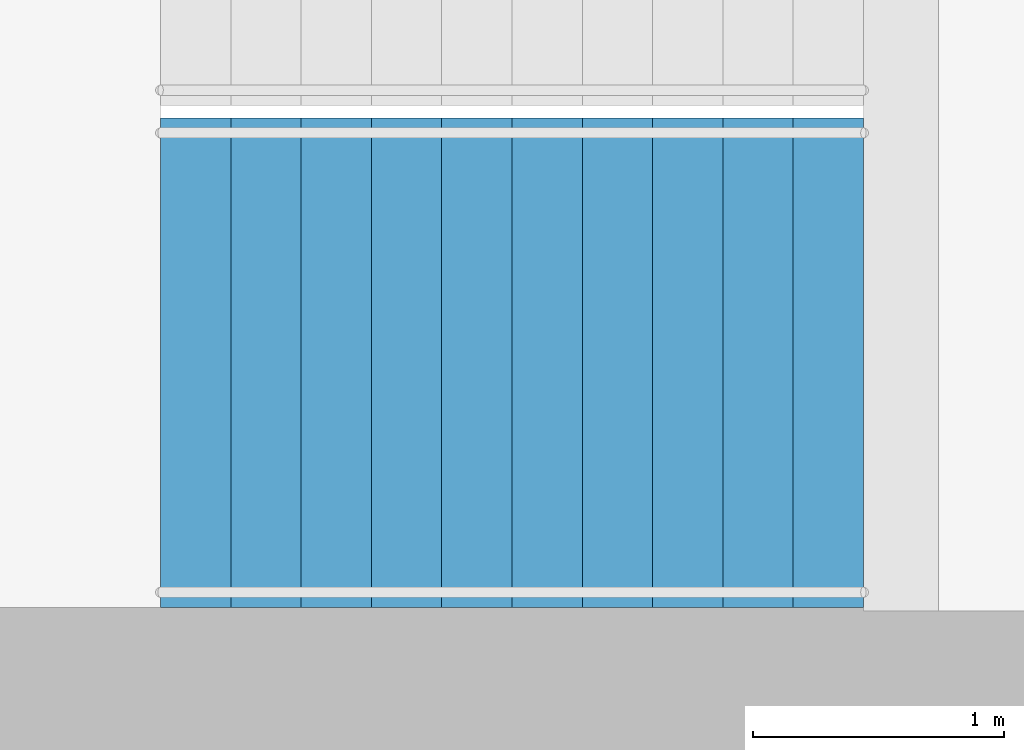
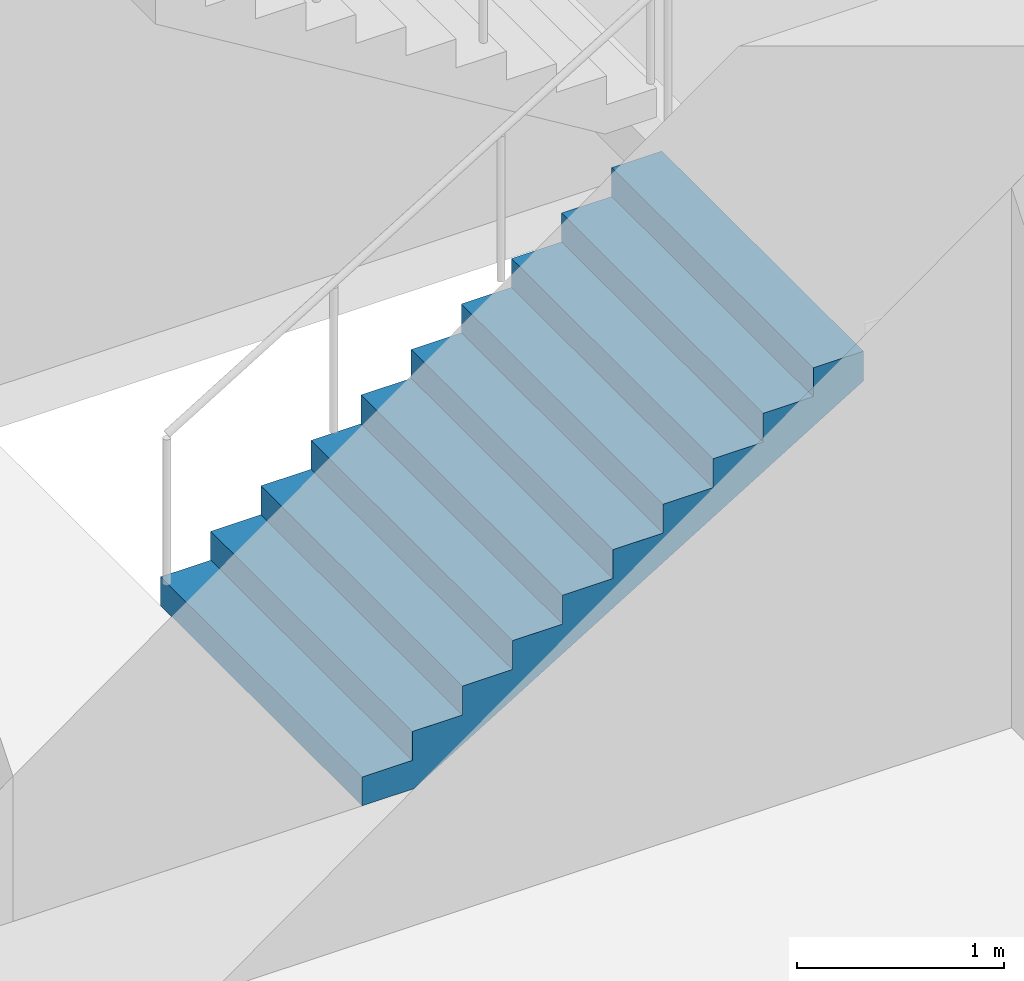
# One storey, part 19 of 23: 1 stair flight, 1 element without a shape of its own.
"""IFC4 building model written with IfcOpenShell, lengths in metres."""

from ifc_helpers import new_model, si_unit, direction, frame, origin, place, context, subcontext, project, spatial, triangles, material, type_object, element, aggregate, save


model = new_model("IFC4")

# Units and contexts
model_context = context("Model", 3, precision=1e-05, world=origin(), true_north=direction((0.0, 1.0)))
body_context = subcontext(model_context, "Body", "Model", "MODEL_VIEW")
ifc_project = project(units=[si_unit("LENGTHUNIT", "METRE"), si_unit("AREAUNIT", "SQUARE_METRE"), si_unit("VOLUMEUNIT", "CUBIC_METRE"), si_unit("PLANEANGLEUNIT", "RADIAN"), si_unit("MASSUNIT", "GRAM", prefix="KILO")], contexts=[model_context])

# Site, building, storey
site_placement = place(None, origin())
site = spatial("IfcSite", under=ifc_project, at=site_placement, CompositionType="ELEMENT")
building_placement = place(site_placement, origin())
building = spatial("IfcBuilding", under=site, at=building_placement, Name="Orbita Commons", CompositionType="ELEMENT")
storey_placement = place(building_placement, frame((0.0, 0.0, 46.449951171875)))
storey = spatial("IfcBuildingStorey", under=building, at=storey_placement, Name="L11", CompositionType="ELEMENT", Elevation=46.449951171875)

# Stair, stair flight
ifc_material_1 = material(Name="Precast concrete C40/50", Category="concrete")
stair_type = type_object("IfcStairType", Name="Exit stair S1 2 flights 11 risers 170", PredefinedType="HALF_TURN_STAIR", material=ifc_material_1)
stair_placement = place(storey_placement, origin())
stair = element("IfcStair", 1, at=stair_placement, inside=storey, type_object=stair_type, Name="Exit stair S1 L11", PredefinedType="HALF_TURN_STAIR")
ifc_material_2 = material(Name="Precast concrete C40/50", Category="concrete")
stair_flight_type = type_object("IfcStairFlightType", Name="Stair flight 11 risers 170 x 280", PredefinedType="STRAIGHT", material=ifc_material_2)
stair_flight_placement = place(storey_placement, frame((20.449951171875, 27.27490234375, 0.0), z_axis=(0.0, 0.0, 1.0), x_axis=(1.0, 0.0, 0.0)))
stair_flight = element("IfcStairFlight", 2, at=stair_flight_placement, type_object=stair_flight_type, Name="S1 flight 1", NumberOfRisers=11, NumberOfTreads=10, PredefinedType="STRAIGHT", RiserHeight=0.170454545, TreadLength=0.28, context=body_context, shape_type="Tessellation", body=[
    triangles([(0.0, 0.974976, 0.0), (0.0, 0.974976, 0.021307), (0.0, 0.81248, 0.021307), (0.0, 0.81248, 0.0), (0.0, 0.649984, 0.021307), (0.0, 0.649984, 0.0), (0.0, 0.487488, 0.021307), (0.0, 0.487488, 0.0), (0.0, 0.324992, 0.021307), (0.0, 0.324992, 0.0), (0.0, 0.162496, 0.021307), (0.0, 0.162496, 0.0), (0.0, 0.0, 0.021307), (0.0, 0.0, 0.0), (0.0, -0.162496, 0.021307), (0.0, -0.162496, 0.0), (0.0, -0.324992, 0.021307), (0.0, -0.324992, 0.0), (0.0, -0.487488, 0.021307), (0.0, -0.487488, 0.0), (0.0, -0.649984, 0.021307), (0.0, -0.649984, 0.0), (0.0, -0.81248, 0.021307), (0.0, -0.81248, 0.0), (0.0, -0.974976, 0.021307), (0.0, -0.974976, 0.0), (0.0, 0.974976, 0.042614), (0.0, 0.81248, 0.042614), (0.0, 0.649984, 0.042614), (0.0, 0.487488, 0.042614), (0.0, 0.324992, 0.042614), (0.0, 0.162496, 0.042614), (0.0, 0.0, 0.042614), (0.0, -0.162496, 0.042614), (0.0, -0.324992, 0.042614), (0.0, -0.487488, 0.042614), (0.0, -0.649984, 0.042614), (0.0, -0.81248, 0.042614), (0.0, -0.974976, 0.042614), (0.0, 0.974976, 0.06392), (0.0, 0.81248, 0.06392), (0.0, 0.649984, 0.06392), (0.0, 0.487488, 0.06392), (0.0, 0.324992, 0.06392), (0.0, 0.162496, 0.06392), (0.0, 0.0, 0.06392), (0.0, -0.162496, 0.06392), (0.0, -0.324992, 0.06392), (0.0, -0.487488, 0.06392), (0.0, -0.649984, 0.06392), (0.0, -0.81248, 0.06392), (0.0, -0.974976, 0.06392), (0.0, 0.974976, 0.085227), (0.0, 0.81248, 0.085227), (0.0, 0.649984, 0.085227), (0.0, 0.487488, 0.085227), (0.0, 0.324992, 0.085227), (0.0, 0.162496, 0.085227), (0.0, 0.0, 0.085227), (0.0, -0.162496, 0.085227), (0.0, -0.324992, 0.085227), (0.0, -0.487488, 0.085227), (0.0, -0.649984, 0.085227), (0.0, -0.81248, 0.085227), (0.0, -0.974976, 0.085227), (0.0, 0.974976, 0.106534), (0.0, 0.81248, 0.106534), (0.0, 0.649984, 0.106534), (0.0, 0.487488, 0.106534), (0.0, 0.324992, 0.106534), (0.0, 0.162496, 0.106534), (0.0, 0.0, 0.106534), (0.0, -0.162496, 0.106534), (0.0, -0.324992, 0.106534), (0.0, -0.487488, 0.106534), (0.0, -0.649984, 0.106534), (0.0, -0.81248, 0.106534), (0.0, -0.974976, 0.106534), (0.0, 0.974976, 0.127841), (0.0, 0.81248, 0.127841), (0.0, 0.649984, 0.127841), (0.0, 0.487488, 0.127841), (0.0, 0.324992, 0.127841), (0.0, 0.162496, 0.127841), (0.0, 0.0, 0.127841), (0.0, -0.162496, 0.127841), (0.0, -0.324992, 0.127841), (0.0, -0.487488, 0.127841), (0.0, -0.649984, 0.127841), (0.0, -0.81248, 0.127841), (0.0, -0.974976, 0.127841), (0.0, 0.974976, 0.149148), (0.0, 0.81248, 0.149148), (0.0, 0.649984, 0.149148), (0.0, 0.487488, 0.149148), (0.0, 0.324992, 0.149148), (0.0, 0.162496, 0.149148), (0.0, 0.0, 0.149148), (0.0, -0.162496, 0.149148), (0.0, -0.324992, 0.149148), (0.0, -0.487488, 0.149148), (0.0, -0.649984, 0.149148), (0.0, -0.81248, 0.149148), (0.0, -0.974976, 0.149148), (0.0, 0.974976, 0.170455), (0.0, 0.81248, 0.170455), (0.0, 0.649984, 0.170455), (0.0, 0.487488, 0.170455), (0.0, 0.324992, 0.170455), (0.0, 0.162496, 0.170455), (0.0, 0.0, 0.170455), (0.0, -0.162496, 0.170455), (0.0, -0.324992, 0.170455), (0.0, -0.487488, 0.170455), (0.0, -0.649984, 0.170455), (0.0, -0.81248, 0.170455), (0.0, -0.974976, 0.170455), (0.28, 0.974976, 0.170455), (0.28, 0.81248, 0.170455), (0.28, 0.649984, 0.170455), (0.28, 0.487488, 0.170455), (0.28, 0.324992, 0.170455), (0.28, 0.162496, 0.170455), (0.28, 0.0, 0.170455), (0.28, -0.162496, 0.170455), (0.28, -0.324992, 0.170455), (0.28, -0.487488, 0.170455), (0.28, -0.649984, 0.170455), (0.28, -0.81248, 0.170455), (0.28, -0.974976, 0.170455), (0.28, 0.974976, 0.340909), (0.28, 0.81248, 0.340909), (0.28, 0.649984, 0.340909), (0.28, 0.487488, 0.340909), (0.28, 0.324992, 0.340909), (0.28, 0.162496, 0.340909), (0.28, 0.0, 0.340909), (0.28, -0.162496, 0.340909), (0.28, -0.324992, 0.340909), (0.28, -0.487488, 0.340909), (0.28, -0.649984, 0.340909), (0.28, -0.81248, 0.340909), (0.28, -0.974976, 0.340909), (0.56, 0.974976, 0.340909), (0.56, 0.81248, 0.340909), (0.56, 0.649984, 0.340909), (0.56, 0.487488, 0.340909), (0.56, 0.324992, 0.340909), (0.56, 0.162496, 0.340909), (0.56, 0.0, 0.340909), (0.56, -0.162496, 0.340909), (0.56, -0.324992, 0.340909), (0.56, -0.487488, 0.340909), (0.56, -0.649984, 0.340909), (0.56, -0.81248, 0.340909), (0.56, -0.974976, 0.340909), (0.56, 0.974976, 0.511364), (0.56, 0.81248, 0.511364), (0.56, 0.649984, 0.511364), (0.56, 0.487488, 0.511364), (0.56, 0.324992, 0.511364), (0.56, 0.162496, 0.511364), (0.56, 0.0, 0.511364), (0.56, -0.162496, 0.511364), (0.56, -0.324992, 0.511364), (0.56, -0.487488, 0.511364), (0.56, -0.649984, 0.511364), (0.56, -0.81248, 0.511364), (0.56, -0.974976, 0.511364), (0.84, 0.974976, 0.511364), (0.84, 0.81248, 0.511364), (0.84, 0.649984, 0.511364), (0.84, 0.487488, 0.511364), (0.84, 0.324992, 0.511364), (0.84, 0.162496, 0.511364), (0.84, 0.0, 0.511364), (0.84, -0.162496, 0.511364), (0.84, -0.324992, 0.511364), (0.84, -0.487488, 0.511364), (0.84, -0.649984, 0.511364), (0.84, -0.81248, 0.511364), (0.84, -0.974976, 0.511364), (0.84, 0.974976, 0.681818), (0.84, 0.81248, 0.681818), (0.84, 0.649984, 0.681818), (0.84, 0.487488, 0.681818), (0.84, 0.324992, 0.681818), (0.84, 0.162496, 0.681818), (0.84, 0.0, 0.681818), (0.84, -0.162496, 0.681818), (0.84, -0.324992, 0.681818), (0.84, -0.487488, 0.681818), (0.84, -0.649984, 0.681818), (0.84, -0.81248, 0.681818), (0.84, -0.974976, 0.681818), (1.12, 0.974976, 0.681818), (1.12, 0.81248, 0.681818), (1.12, 0.649984, 0.681818), (1.12, 0.487488, 0.681818), (1.12, 0.324992, 0.681818), (1.12, 0.162496, 0.681818), (1.12, 0.0, 0.681818), (1.12, -0.162496, 0.681818), (1.12, -0.324992, 0.681818), (1.12, -0.487488, 0.681818), (1.12, -0.649984, 0.681818), (1.12, -0.81248, 0.681818), (1.12, -0.974976, 0.681818), (1.12, 0.974976, 0.852273), (1.12, 0.81248, 0.852273), (1.12, 0.649984, 0.852273), (1.12, 0.487488, 0.852273), (1.12, 0.324992, 0.852273), (1.12, 0.162496, 0.852273), (1.12, 0.0, 0.852273), (1.12, -0.162496, 0.852273), (1.12, -0.324992, 0.852273), (1.12, -0.487488, 0.852273), (1.12, -0.649984, 0.852273), (1.12, -0.81248, 0.852273), (1.12, -0.974976, 0.852273), (1.4, 0.974976, 0.852273), (1.4, 0.81248, 0.852273), (1.4, 0.649984, 0.852273), (1.4, 0.487488, 0.852273), (1.4, 0.324992, 0.852273), (1.4, 0.162496, 0.852273), (1.4, 0.0, 0.852273), (1.4, -0.162496, 0.852273), (1.4, -0.324992, 0.852273), (1.4, -0.487488, 0.852273), (1.4, -0.649984, 0.852273), (1.4, -0.81248, 0.852273), (1.4, -0.974976, 0.852273), (1.4, 0.974976, 1.022727), (1.4, 0.81248, 1.022727), (1.4, 0.649984, 1.022727), (1.4, 0.487488, 1.022727), (1.4, 0.324992, 1.022727), (1.4, 0.162496, 1.022727), (1.4, 0.0, 1.022727), (1.4, -0.162496, 1.022727), (1.4, -0.324992, 1.022727), (1.4, -0.487488, 1.022727), (1.4, -0.649984, 1.022727), (1.4, -0.81248, 1.022727), (1.4, -0.974976, 1.022727), (1.68, 0.974976, 1.022727), (1.68, 0.81248, 1.022727), (1.68, 0.649984, 1.022727), (1.68, 0.487488, 1.022727), (1.68, 0.324992, 1.022727), (1.68, 0.162496, 1.022727), (1.68, 0.0, 1.022727), (1.68, -0.162496, 1.022727), (1.68, -0.324992, 1.022727), (1.68, -0.487488, 1.022727), (1.68, -0.649984, 1.022727), (1.68, -0.81248, 1.022727), (1.68, -0.974976, 1.022727), (1.68, 0.974976, 1.193182), (1.68, 0.81248, 1.193182), (1.68, 0.649984, 1.193182), (1.68, 0.487488, 1.193182), (1.68, 0.324992, 1.193182), (1.68, 0.162496, 1.193182), (1.68, 0.0, 1.193182), (1.68, -0.162496, 1.193182), (1.68, -0.324992, 1.193182), (1.68, -0.487488, 1.193182), (1.68, -0.649984, 1.193182), (1.68, -0.81248, 1.193182), (1.68, -0.974976, 1.193182), (1.96, 0.974976, 1.193182), (1.96, 0.81248, 1.193182), (1.96, 0.649984, 1.193182), (1.96, 0.487488, 1.193182), (1.96, 0.324992, 1.193182), (1.96, 0.162496, 1.193182), (1.96, 0.0, 1.193182), (1.96, -0.162496, 1.193182), (1.96, -0.324992, 1.193182), (1.96, -0.487488, 1.193182), (1.96, -0.649984, 1.193182), (1.96, -0.81248, 1.193182), (1.96, -0.974976, 1.193182), (1.96, 0.974976, 1.363636), (1.96, 0.81248, 1.363636), (1.96, 0.649984, 1.363636), (1.96, 0.487488, 1.363636), (1.96, 0.324992, 1.363636), (1.96, 0.162496, 1.363636), (1.96, 0.0, 1.363636), (1.96, -0.162496, 1.363636), (1.96, -0.324992, 1.363636), (1.96, -0.487488, 1.363636), (1.96, -0.649984, 1.363636), (1.96, -0.81248, 1.363636), (1.96, -0.974976, 1.363636), (2.24, 0.974976, 1.363636), (2.24, 0.81248, 1.363636), (2.24, 0.649984, 1.363636), (2.24, 0.487488, 1.363636), (2.24, 0.324992, 1.363636), (2.24, 0.162496, 1.363636), (2.24, 0.0, 1.363636), (2.24, -0.162496, 1.363636), (2.24, -0.324992, 1.363636), (2.24, -0.487488, 1.363636), (2.24, -0.649984, 1.363636), (2.24, -0.81248, 1.363636), (2.24, -0.974976, 1.363636), (2.24, 0.974976, 1.534091), (2.24, 0.81248, 1.534091), (2.24, 0.649984, 1.534091), (2.24, 0.487488, 1.534091), (2.24, 0.324992, 1.534091), (2.24, 0.162496, 1.534091), (2.24, 0.0, 1.534091), (2.24, -0.162496, 1.534091), (2.24, -0.324992, 1.534091), (2.24, -0.487488, 1.534091), (2.24, -0.649984, 1.534091), (2.24, -0.81248, 1.534091), (2.24, -0.974976, 1.534091), (2.52, 0.974976, 1.534091), (2.52, 0.81248, 1.534091), (2.52, 0.649984, 1.534091), (2.52, 0.487488, 1.534091), (2.52, 0.324992, 1.534091), (2.52, 0.162496, 1.534091), (2.52, 0.0, 1.534091), (2.52, -0.162496, 1.534091), (2.52, -0.324992, 1.534091), (2.52, -0.487488, 1.534091), (2.52, -0.649984, 1.534091), (2.52, -0.81248, 1.534091), (2.52, -0.974976, 1.534091), (2.52, 0.974976, 1.704545), (2.52, 0.81248, 1.704545), (2.52, 0.649984, 1.704545), (2.52, 0.487488, 1.704545), (2.52, 0.324992, 1.704545), (2.52, 0.162496, 1.704545), (2.52, 0.0, 1.704545), (2.52, -0.162496, 1.704545), (2.52, -0.324992, 1.704545), (2.52, -0.487488, 1.704545), (2.52, -0.649984, 1.704545), (2.52, -0.81248, 1.704545), (2.52, -0.974976, 1.704545), (2.8, 0.974976, 1.704545), (2.8, 0.81248, 1.704545), (2.8, 0.649984, 1.704545), (2.8, 0.487488, 1.704545), (2.8, 0.324992, 1.704545), (2.8, 0.162496, 1.704545), (2.8, 0.0, 1.704545), (2.8, -0.162496, 1.704545), (2.8, -0.324992, 1.704545), (2.8, -0.487488, 1.704545), (2.8, -0.649984, 1.704545), (2.8, -0.81248, 1.704545), (2.8, -0.974976, 1.704545), (2.8, 0.974976, 1.682609), (2.8, 0.81248, 1.682609), (2.8, 0.649984, 1.682609), (2.8, 0.487488, 1.682609), (2.8, 0.324992, 1.682609), (2.8, 0.162496, 1.682609), (2.8, 0.0, 1.682609), (2.8, -0.162496, 1.682609), (2.8, -0.324992, 1.682609), (2.8, -0.487488, 1.682609), (2.8, -0.649984, 1.682609), (2.8, -0.81248, 1.682609), (2.8, -0.974976, 1.682609), (2.8, 0.974976, 1.660672), (2.8, 0.81248, 1.660672), (2.8, 0.649984, 1.660672), (2.8, 0.487488, 1.660672), (2.8, 0.324992, 1.660672), (2.8, 0.162496, 1.660672), (2.8, 0.0, 1.660672), (2.8, -0.162496, 1.660672), (2.8, -0.324992, 1.660672), (2.8, -0.487488, 1.660672), (2.8, -0.649984, 1.660672), (2.8, -0.81248, 1.660672), (2.8, -0.974976, 1.660672), (2.8, 0.974976, 1.638735), (2.8, 0.81248, 1.638735), (2.8, 0.649984, 1.638735), (2.8, 0.487488, 1.638735), (2.8, 0.324992, 1.638735), (2.8, 0.162496, 1.638735), (2.8, 0.0, 1.638735), (2.8, -0.162496, 1.638735), (2.8, -0.324992, 1.638735), (2.8, -0.487488, 1.638735), (2.8, -0.649984, 1.638735), (2.8, -0.81248, 1.638735), (2.8, -0.974976, 1.638735), (2.8, 0.974976, 1.616798), (2.8, 0.81248, 1.616798), (2.8, 0.649984, 1.616798), (2.8, 0.487488, 1.616798), (2.8, 0.324992, 1.616798), (2.8, 0.162496, 1.616798), (2.8, 0.0, 1.616798), (2.8, -0.162496, 1.616798), (2.8, -0.324992, 1.616798), (2.8, -0.487488, 1.616798), (2.8, -0.649984, 1.616798), (2.8, -0.81248, 1.616798), (2.8, -0.974976, 1.616798), (2.8, 0.974976, 1.594861), (2.8, 0.81248, 1.594861), (2.8, 0.649984, 1.594861), (2.8, 0.487488, 1.594861), (2.8, 0.324992, 1.594861), (2.8, 0.162496, 1.594861), (2.8, 0.0, 1.594861), (2.8, -0.162496, 1.594861), (2.8, -0.324992, 1.594861), (2.8, -0.487488, 1.594861), (2.8, -0.649984, 1.594861), (2.8, -0.81248, 1.594861), (2.8, -0.974976, 1.594861), (2.8, 0.974976, 1.572925), (2.8, 0.81248, 1.572925), (2.8, 0.649984, 1.572925), (2.8, 0.487488, 1.572925), (2.8, 0.324992, 1.572925), (2.8, 0.162496, 1.572925), (2.8, 0.0, 1.572925), (2.8, -0.162496, 1.572925), (2.8, -0.324992, 1.572925), (2.8, -0.487488, 1.572925), (2.8, -0.649984, 1.572925), (2.8, -0.81248, 1.572925), (2.8, -0.974976, 1.572925), (2.8, 0.974976, 1.550988), (2.8, 0.81248, 1.550988), (2.8, 0.649984, 1.550988), (2.8, 0.487488, 1.550988), (2.8, 0.324992, 1.550988), (2.8, 0.162496, 1.550988), (2.8, 0.0, 1.550988), (2.8, -0.162496, 1.550988), (2.8, -0.324992, 1.550988), (2.8, -0.487488, 1.550988), (2.8, -0.649984, 1.550988), (2.8, -0.81248, 1.550988), (2.8, -0.974976, 1.550988), (2.8, 0.974976, 1.529051), (2.8, 0.81248, 1.529051), (2.8, 0.649984, 1.529051), (2.8, 0.487488, 1.529051), (2.8, 0.324992, 1.529051), (2.8, 0.162496, 1.529051), (2.8, 0.0, 1.529051), (2.8, -0.162496, 1.529051), (2.8, -0.324992, 1.529051), (2.8, -0.487488, 1.529051), (2.8, -0.649984, 1.529051), (2.8, -0.81248, 1.529051), (2.8, -0.974976, 1.529051), (0.288279, 0.974976, 0.0), (0.288279, 0.81248, 0.0), (0.288279, 0.649984, 0.0), (0.288279, 0.487488, 0.0), (0.288279, 0.324992, 0.0), (0.288279, 0.162496, 0.0), (0.288279, 0.0, 0.0), (0.288279, -0.162496, 0.0), (0.288279, -0.324992, 0.0), (0.288279, -0.487488, 0.0), (0.288279, -0.649984, 0.0), (0.288279, -0.81248, 0.0), (0.288279, -0.974976, 0.0)], [[3, 2, 1], [4, 3, 1], [5, 3, 4], [6, 5, 4], [7, 5, 6], [8, 7, 6], [9, 7, 8], [10, 9, 8], [11, 9, 10], [12, 11, 10], [13, 11, 12], [14, 13, 12], [15, 13, 14], [16, 15, 14], [17, 15, 16], [18, 17, 16], [19, 17, 18], [20, 19, 18], [21, 19, 20], [22, 21, 20], [23, 21, 22], [24, 23, 22], [25, 23, 24], [26, 25, 24], [28, 27, 2], [3, 28, 2], [29, 28, 3], [5, 29, 3], [30, 29, 5], [7, 30, 5], [31, 30, 7], [9, 31, 7], [32, 31, 9], [11, 32, 9], [33, 32, 11], [13, 33, 11], [34, 33, 13], [15, 34, 13], [35, 34, 15], [17, 35, 15], [36, 35, 17], [19, 36, 17], [37, 36, 19], [21, 37, 19], [38, 37, 21], [23, 38, 21], [39, 38, 23], [25, 39, 23], [41, 40, 27], [28, 41, 27], [42, 41, 28], [29, 42, 28], [43, 42, 29], [30, 43, 29], [44, 43, 30], [31, 44, 30], [45, 44, 31], [32, 45, 31], [46, 45, 32], [33, 46, 32], [47, 46, 33], [34, 47, 33], [48, 47, 34], [35, 48, 34], [49, 48, 35], [36, 49, 35], [50, 49, 36], [37, 50, 36], [51, 50, 37], [38, 51, 37], [52, 51, 38], [39, 52, 38], [54, 53, 40], [41, 54, 40], [55, 54, 41], [42, 55, 41], [56, 55, 42], [43, 56, 42], [57, 56, 43], [44, 57, 43], [58, 57, 44], [45, 58, 44], [59, 58, 45], [46, 59, 45], [60, 59, 46], [47, 60, 46], [61, 60, 47], [48, 61, 47], [62, 61, 48], [49, 62, 48], [63, 62, 49], [50, 63, 49], [64, 63, 50], [51, 64, 50], [65, 64, 51], [52, 65, 51], [67, 66, 53], [54, 67, 53], [68, 67, 54], [55, 68, 54], [69, 68, 55], [56, 69, 55], [70, 69, 56], [57, 70, 56], [71, 70, 57], [58, 71, 57], [72, 71, 58], [59, 72, 58], [73, 72, 59], [60, 73, 59], [74, 73, 60], [61, 74, 60], [75, 74, 61], [62, 75, 61], [76, 75, 62], [63, 76, 62], [77, 76, 63], [64, 77, 63], [78, 77, 64], [65, 78, 64], [80, 79, 66], [67, 80, 66], [81, 80, 67], [68, 81, 67], [82, 81, 68], [69, 82, 68], [83, 82, 69], [70, 83, 69], [84, 83, 70], [71, 84, 70], [85, 84, 71], [72, 85, 71], [86, 85, 72], [73, 86, 72], [87, 86, 73], [74, 87, 73], [88, 87, 74], [75, 88, 74], [89, 88, 75], [76, 89, 75], [90, 89, 76], [77, 90, 76], [91, 90, 77], [78, 91, 77], [93, 92, 79], [80, 93, 79], [94, 93, 80], [81, 94, 80], [95, 94, 81], [82, 95, 81], [96, 95, 82], [83, 96, 82], [97, 96, 83], [84, 97, 83], [98, 97, 84], [85, 98, 84], [99, 98, 85], [86, 99, 85], [100, 99, 86], [87, 100, 86], [101, 100, 87], [88, 101, 87], [102, 101, 88], [89, 102, 88], [103, 102, 89], [90, 103, 89], [104, 103, 90], [91, 104, 90], [106, 105, 92], [93, 106, 92], [107, 106, 93], [94, 107, 93], [108, 107, 94], [95, 108, 94], [109, 108, 95], [96, 109, 95], [110, 109, 96], [97, 110, 96], [111, 110, 97], [98, 111, 97], [112, 111, 98], [99, 112, 98], [113, 112, 99], [100, 113, 99], [114, 113, 100], [101, 114, 100], [115, 114, 101], [102, 115, 101], [116, 115, 102], [103, 116, 102], [117, 116, 103], [104, 117, 103], [119, 118, 105], [106, 119, 105], [120, 119, 106], [107, 120, 106], [121, 120, 107], [108, 121, 107], [122, 121, 108], [109, 122, 108], [123, 122, 109], [110, 123, 109], [124, 123, 110], [111, 124, 110], [125, 124, 111], [112, 125, 111], [126, 125, 112], [113, 126, 112], [127, 126, 113], [114, 127, 113], [128, 127, 114], [115, 128, 114], [129, 128, 115], [116, 129, 115], [130, 129, 116], [117, 130, 116], [132, 131, 118], [119, 132, 118], [133, 132, 119], [120, 133, 119], [134, 133, 120], [121, 134, 120], [135, 134, 121], [122, 135, 121], [136, 135, 122], [123, 136, 122], [137, 136, 123], [124, 137, 123], [138, 137, 124], [125, 138, 124], [139, 138, 125], [126, 139, 125], [140, 139, 126], [127, 140, 126], [141, 140, 127], [128, 141, 127], [142, 141, 128], [129, 142, 128], [143, 142, 129], [130, 143, 129], [145, 144, 131], [132, 145, 131], [146, 145, 132], [133, 146, 132], [147, 146, 133], [134, 147, 133], [148, 147, 134], [135, 148, 134], [149, 148, 135], [136, 149, 135], [150, 149, 136], [137, 150, 136], [151, 150, 137], [138, 151, 137], [152, 151, 138], [139, 152, 138], [153, 152, 139], [140, 153, 139], [154, 153, 140], [141, 154, 140], [155, 154, 141], [142, 155, 141], [156, 155, 142], [143, 156, 142], [158, 157, 144], [145, 158, 144], [159, 158, 145], [146, 159, 145], [160, 159, 146], [147, 160, 146], [161, 160, 147], [148, 161, 147], [162, 161, 148], [149, 162, 148], [163, 162, 149], [150, 163, 149], [164, 163, 150], [151, 164, 150], [165, 164, 151], [152, 165, 151], [166, 165, 152], [153, 166, 152], [167, 166, 153], [154, 167, 153], [168, 167, 154], [155, 168, 154], [169, 168, 155], [156, 169, 155], [171, 170, 157], [158, 171, 157], [172, 171, 158], [159, 172, 158], [173, 172, 159], [160, 173, 159], [174, 173, 160], [161, 174, 160], [175, 174, 161], [162, 175, 161], [176, 175, 162], [163, 176, 162], [177, 176, 163], [164, 177, 163], [178, 177, 164], [165, 178, 164], [179, 178, 165], [166, 179, 165], [180, 179, 166], [167, 180, 166], [181, 180, 167], [168, 181, 167], [182, 181, 168], [169, 182, 168], [184, 183, 170], [171, 184, 170], [185, 184, 171], [172, 185, 171], [186, 185, 172], [173, 186, 172], [187, 186, 173], [174, 187, 173], [188, 187, 174], [175, 188, 174], [189, 188, 175], [176, 189, 175], [190, 189, 176], [177, 190, 176], [191, 190, 177], [178, 191, 177], [192, 191, 178], [179, 192, 178], [193, 192, 179], [180, 193, 179], [194, 193, 180], [181, 194, 180], [195, 194, 181], [182, 195, 181], [197, 196, 183], [184, 197, 183], [198, 197, 184], [185, 198, 184], [199, 198, 185], [186, 199, 185], [200, 199, 186], [187, 200, 186], [201, 200, 187], [188, 201, 187], [202, 201, 188], [189, 202, 188], [203, 202, 189], [190, 203, 189], [204, 203, 190], [191, 204, 190], [205, 204, 191], [192, 205, 191], [206, 205, 192], [193, 206, 192], [207, 206, 193], [194, 207, 193], [208, 207, 194], [195, 208, 194], [210, 209, 196], [197, 210, 196], [211, 210, 197], [198, 211, 197], [212, 211, 198], [199, 212, 198], [213, 212, 199], [200, 213, 199], [214, 213, 200], [201, 214, 200], [215, 214, 201], [202, 215, 201], [216, 215, 202], [203, 216, 202], [217, 216, 203], [204, 217, 203], [218, 217, 204], [205, 218, 204], [219, 218, 205], [206, 219, 205], [220, 219, 206], [207, 220, 206], [221, 220, 207], [208, 221, 207], [223, 222, 209], [210, 223, 209], [224, 223, 210], [211, 224, 210], [225, 224, 211], [212, 225, 211], [226, 225, 212], [213, 226, 212], [227, 226, 213], [214, 227, 213], [228, 227, 214], [215, 228, 214], [229, 228, 215], [216, 229, 215], [230, 229, 216], [217, 230, 216], [231, 230, 217], [218, 231, 217], [232, 231, 218], [219, 232, 218], [233, 232, 219], [220, 233, 219], [234, 233, 220], [221, 234, 220], [236, 235, 222], [223, 236, 222], [237, 236, 223], [224, 237, 223], [238, 237, 224], [225, 238, 224], [239, 238, 225], [226, 239, 225], [240, 239, 226], [227, 240, 226], [241, 240, 227], [228, 241, 227], [242, 241, 228], [229, 242, 228], [243, 242, 229], [230, 243, 229], [244, 243, 230], [231, 244, 230], [245, 244, 231], [232, 245, 231], [246, 245, 232], [233, 246, 232], [247, 246, 233], [234, 247, 233], [249, 248, 235], [236, 249, 235], [250, 249, 236], [237, 250, 236], [251, 250, 237], [238, 251, 237], [252, 251, 238], [239, 252, 238], [253, 252, 239], [240, 253, 239], [254, 253, 240], [241, 254, 240], [255, 254, 241], [242, 255, 241], [256, 255, 242], [243, 256, 242], [257, 256, 243], [244, 257, 243], [258, 257, 244], [245, 258, 244], [259, 258, 245], [246, 259, 245], [260, 259, 246], [247, 260, 246], [262, 261, 248], [249, 262, 248], [263, 262, 249], [250, 263, 249], [264, 263, 250], [251, 264, 250], [265, 264, 251], [252, 265, 251], [266, 265, 252], [253, 266, 252], [267, 266, 253], [254, 267, 253], [268, 267, 254], [255, 268, 254], [269, 268, 255], [256, 269, 255], [270, 269, 256], [257, 270, 256], [271, 270, 257], [258, 271, 257], [272, 271, 258], [259, 272, 258], [273, 272, 259], [260, 273, 259], [275, 274, 261], [262, 275, 261], [276, 275, 262], [263, 276, 262], [277, 276, 263], [264, 277, 263], [278, 277, 264], [265, 278, 264], [279, 278, 265], [266, 279, 265], [280, 279, 266], [267, 280, 266], [281, 280, 267], [268, 281, 267], [282, 281, 268], [269, 282, 268], [283, 282, 269], [270, 283, 269], [284, 283, 270], [271, 284, 270], [285, 284, 271], [272, 285, 271], [286, 285, 272], [273, 286, 272], [288, 287, 274], [275, 288, 274], [289, 288, 275], [276, 289, 275], [290, 289, 276], [277, 290, 276], [291, 290, 277], [278, 291, 277], [292, 291, 278], [279, 292, 278], [293, 292, 279], [280, 293, 279], [294, 293, 280], [281, 294, 280], [295, 294, 281], [282, 295, 281], [296, 295, 282], [283, 296, 282], [297, 296, 283], [284, 297, 283], [298, 297, 284], [285, 298, 284], [299, 298, 285], [286, 299, 285], [301, 300, 287], [288, 301, 287], [302, 301, 288], [289, 302, 288], [303, 302, 289], [290, 303, 289], [304, 303, 290], [291, 304, 290], [305, 304, 291], [292, 305, 291], [306, 305, 292], [293, 306, 292], [307, 306, 293], [294, 307, 293], [308, 307, 294], [295, 308, 294], [309, 308, 295], [296, 309, 295], [310, 309, 296], [297, 310, 296], [311, 310, 297], [298, 311, 297], [312, 311, 298], [299, 312, 298], [314, 313, 300], [301, 314, 300], [315, 314, 301], [302, 315, 301], [316, 315, 302], [303, 316, 302], [317, 316, 303], [304, 317, 303], [318, 317, 304], [305, 318, 304], [319, 318, 305], [306, 319, 305], [320, 319, 306], [307, 320, 306], [321, 320, 307], [308, 321, 307], [322, 321, 308], [309, 322, 308], [323, 322, 309], [310, 323, 309], [324, 323, 310], [311, 324, 310], [325, 324, 311], [312, 325, 311], [327, 326, 313], [314, 327, 313], [328, 327, 314], [315, 328, 314], [329, 328, 315], [316, 329, 315], [330, 329, 316], [317, 330, 316], [331, 330, 317], [318, 331, 317], [332, 331, 318], [319, 332, 318], [333, 332, 319], [320, 333, 319], [334, 333, 320], [321, 334, 320], [335, 334, 321], [322, 335, 321], [336, 335, 322], [323, 336, 322], [337, 336, 323], [324, 337, 323], [338, 337, 324], [325, 338, 324], [340, 339, 326], [327, 340, 326], [341, 340, 327], [328, 341, 327], [342, 341, 328], [329, 342, 328], [343, 342, 329], [330, 343, 329], [344, 343, 330], [331, 344, 330], [345, 344, 331], [332, 345, 331], [346, 345, 332], [333, 346, 332], [347, 346, 333], [334, 347, 333], [348, 347, 334], [335, 348, 334], [349, 348, 335], [336, 349, 335], [350, 349, 336], [337, 350, 336], [351, 350, 337], [338, 351, 337], [353, 352, 339], [340, 353, 339], [354, 353, 340], [341, 354, 340], [355, 354, 341], [342, 355, 341], [356, 355, 342], [343, 356, 342], [357, 356, 343], [344, 357, 343], [358, 357, 344], [345, 358, 344], [359, 358, 345], [346, 359, 345], [360, 359, 346], [347, 360, 346], [361, 360, 347], [348, 361, 347], [362, 361, 348], [349, 362, 348], [363, 362, 349], [350, 363, 349], [364, 363, 350], [351, 364, 350], [366, 365, 352], [353, 366, 352], [367, 366, 353], [354, 367, 353], [368, 367, 354], [355, 368, 354], [369, 368, 355], [356, 369, 355], [370, 369, 356], [357, 370, 356], [371, 370, 357], [358, 371, 357], [372, 371, 358], [359, 372, 358], [373, 372, 359], [360, 373, 359], [374, 373, 360], [361, 374, 360], [375, 374, 361], [362, 375, 361], [376, 375, 362], [363, 376, 362], [377, 376, 363], [364, 377, 363], [379, 378, 365], [366, 379, 365], [380, 379, 366], [367, 380, 366], [381, 380, 367], [368, 381, 367], [382, 381, 368], [369, 382, 368], [383, 382, 369], [370, 383, 369], [384, 383, 370], [371, 384, 370], [385, 384, 371], [372, 385, 371], [386, 385, 372], [373, 386, 372], [387, 386, 373], [374, 387, 373], [388, 387, 374], [375, 388, 374], [389, 388, 375], [376, 389, 375], [390, 389, 376], [377, 390, 376], [392, 391, 378], [379, 392, 378], [393, 392, 379], [380, 393, 379], [394, 393, 380], [381, 394, 380], [395, 394, 381], [382, 395, 381], [396, 395, 382], [383, 396, 382], [397, 396, 383], [384, 397, 383], [398, 397, 384], [385, 398, 384], [399, 398, 385], [386, 399, 385], [400, 399, 386], [387, 400, 386], [401, 400, 387], [388, 401, 387], [402, 401, 388], [389, 402, 388], [403, 402, 389], [390, 403, 389], [405, 404, 391], [392, 405, 391], [406, 405, 392], [393, 406, 392], [407, 406, 393], [394, 407, 393], [408, 407, 394], [395, 408, 394], [409, 408, 395], [396, 409, 395], [410, 409, 396], [397, 410, 396], [411, 410, 397], [398, 411, 397], [412, 411, 398], [399, 412, 398], [413, 412, 399], [400, 413, 399], [414, 413, 400], [401, 414, 400], [415, 414, 401], [402, 415, 401], [416, 415, 402], [403, 416, 402], [418, 417, 404], [405, 418, 404], [419, 418, 405], [406, 419, 405], [420, 419, 406], [407, 420, 406], [421, 420, 407], [408, 421, 407], [422, 421, 408], [409, 422, 408], [423, 422, 409], [410, 423, 409], [424, 423, 410], [411, 424, 410], [425, 424, 411], [412, 425, 411], [426, 425, 412], [413, 426, 412], [427, 426, 413], [414, 427, 413], [428, 427, 414], [415, 428, 414], [429, 428, 415], [416, 429, 415], [431, 430, 417], [418, 431, 417], [432, 431, 418], [419, 432, 418], [433, 432, 419], [420, 433, 419], [434, 433, 420], [421, 434, 420], [435, 434, 421], [422, 435, 421], [436, 435, 422], [423, 436, 422], [437, 436, 423], [424, 437, 423], [438, 437, 424], [425, 438, 424], [439, 438, 425], [426, 439, 425], [440, 439, 426], [427, 440, 426], [441, 440, 427], [428, 441, 427], [442, 441, 428], [429, 442, 428], [444, 443, 430], [431, 444, 430], [445, 444, 431], [432, 445, 431], [446, 445, 432], [433, 446, 432], [447, 446, 433], [434, 447, 433], [448, 447, 434], [435, 448, 434], [449, 448, 435], [436, 449, 435], [450, 449, 436], [437, 450, 436], [451, 450, 437], [438, 451, 437], [452, 451, 438], [439, 452, 438], [453, 452, 439], [440, 453, 439], [454, 453, 440], [441, 454, 440], [455, 454, 441], [442, 455, 441], [457, 456, 443], [444, 457, 443], [458, 457, 444], [445, 458, 444], [459, 458, 445], [446, 459, 445], [460, 459, 446], [447, 460, 446], [461, 460, 447], [448, 461, 447], [462, 461, 448], [449, 462, 448], [463, 462, 449], [450, 463, 449], [464, 463, 450], [451, 464, 450], [465, 464, 451], [452, 465, 451], [466, 465, 452], [453, 466, 452], [467, 466, 453], [454, 467, 453], [468, 467, 454], [455, 468, 454], [470, 469, 456], [457, 470, 456], [471, 470, 457], [458, 471, 457], [472, 471, 458], [459, 472, 458], [473, 472, 459], [460, 473, 459], [474, 473, 460], [461, 474, 460], [475, 474, 461], [462, 475, 461], [476, 475, 462], [463, 476, 462], [477, 476, 463], [464, 477, 463], [478, 477, 464], [465, 478, 464], [479, 478, 465], [466, 479, 465], [480, 479, 466], [467, 480, 466], [481, 480, 467], [468, 481, 467], [4, 1, 469], [470, 4, 469], [6, 4, 470], [471, 6, 470], [8, 6, 471], [472, 8, 471], [10, 8, 472], [473, 10, 472], [12, 10, 473], [474, 12, 473], [14, 12, 474], [475, 14, 474], [16, 14, 475], [476, 16, 475], [18, 16, 476], [477, 18, 476], [20, 18, 477], [478, 20, 477], [22, 20, 478], [479, 22, 478], [24, 22, 479], [480, 24, 479], [26, 24, 480], [481, 26, 480], [456, 469, 1], [26, 481, 468], [443, 456, 1], [26, 468, 455], [430, 443, 1], [26, 455, 442], [417, 430, 1], [26, 442, 429], [404, 417, 1], [26, 429, 416], [391, 404, 1], [26, 416, 403], [378, 391, 1], [26, 403, 390], [365, 378, 1], [26, 390, 377], [339, 352, 365], [377, 364, 351], [326, 339, 365], [377, 351, 338], [300, 313, 326], [338, 325, 312], [300, 326, 365], [377, 338, 312], [274, 287, 300], [312, 299, 286], [274, 300, 365], [377, 312, 286], [248, 261, 274], [286, 273, 260], [248, 274, 365], [377, 286, 260], [222, 235, 248], [260, 247, 234], [222, 248, 365], [377, 260, 234], [196, 209, 222], [234, 221, 208], [196, 222, 365], [377, 234, 208], [170, 183, 196], [208, 195, 182], [170, 196, 365], [377, 208, 182], [144, 157, 170], [182, 169, 156], [144, 170, 365], [377, 182, 156], [118, 131, 144], [156, 143, 130], [118, 144, 365], [377, 156, 130], [118, 365, 1], [26, 377, 130], [92, 105, 118], [130, 117, 104], [79, 92, 118], [130, 104, 91], [66, 79, 118], [130, 91, 78], [53, 66, 118], [130, 78, 65], [40, 53, 118], [130, 65, 52], [27, 40, 118], [130, 52, 39], [2, 27, 118], [130, 39, 25], [1, 2, 118], [130, 25, 26]], closed=True),
])
aggregate(stair, [stair_flight])

save(model, "model.ifc")
